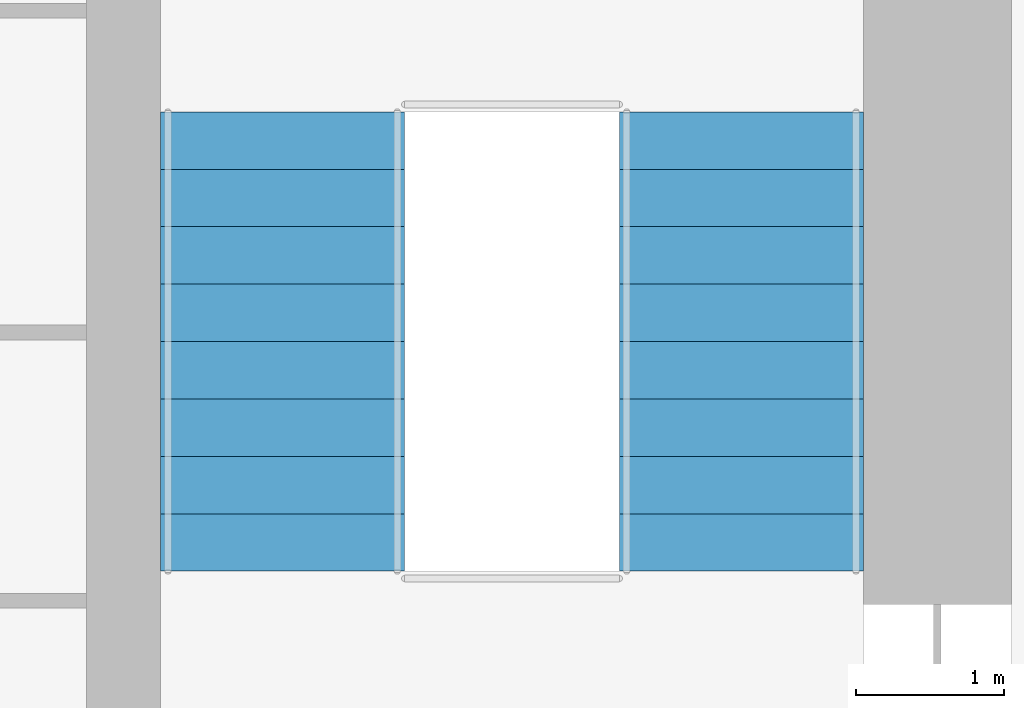
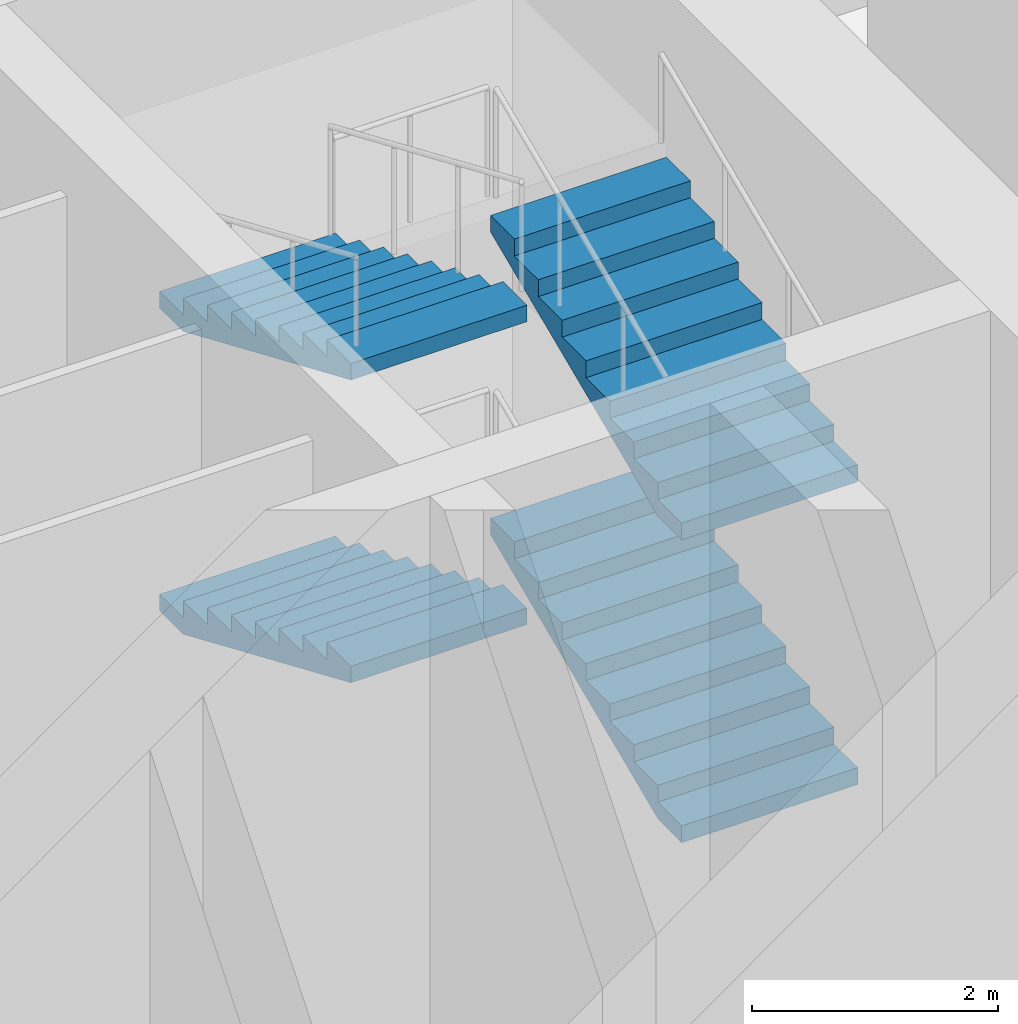
# One storey, part 15 of 19: 4 stair flights, 1 element without a shape of its own.
"""IFC4 building model written with IfcOpenShell, lengths in metres."""

from ifc_helpers import new_model, si_unit, direction, frame, origin, place, context, subcontext, project, spatial, polyline, outline, extrude, material, type_object, element, aggregate, save


model = new_model("IFC4")

# Units and contexts
model_context = context("Model", 3, precision=1e-05, world=origin(), true_north=direction((0.0, 1.0)))
body_context = subcontext(model_context, "Body", "Model", "MODEL_VIEW")
ifc_project = project(units=[si_unit("LENGTHUNIT", "METRE"), si_unit("AREAUNIT", "SQUARE_METRE"), si_unit("VOLUMEUNIT", "CUBIC_METRE"), si_unit("PLANEANGLEUNIT", "RADIAN"), si_unit("MASSUNIT", "GRAM", prefix="KILO")], contexts=[model_context])

# Site, building, storey
site_placement = place(None, origin())
site = spatial("IfcSite", under=ifc_project, at=site_placement, CompositionType="ELEMENT")
building_placement = place(site_placement, origin())
building = spatial("IfcBuilding", under=site, at=building_placement, Name="Corbel Stack Research Tower", CompositionType="ELEMENT")
storey_placement = place(building_placement, frame((0.0, 0.0, 70.60009765625)))
storey = spatial("IfcBuildingStorey", under=building, at=storey_placement, Name="L16", CompositionType="ELEMENT", Elevation=70.60009765625)

# Stair, stair flights
ifc_material_1 = material(Name="Concrete C40/50", Category="concrete")
stair_type = type_object("IfcStairType", Name="Exit stair 36 risers, 388 going", PredefinedType="HALF_TURN_STAIR", material=ifc_material_1)
stair_placement = place(storey_placement, origin())
stair = element("IfcStair", 1, at=stair_placement, inside=storey, type_object=stair_type, Name="L16 Exit stair ST-E2", PredefinedType="HALF_TURN_STAIR")
ifc_material_2 = material(Name="Concrete C40/50", Category="concrete")
stair_flight_type = type_object("IfcStairFlightType", Name="Stair flight 9 risers, 388 going", PredefinedType="STRAIGHT", material=ifc_material_2)
stair_flight_1_placement = place(storey_placement, frame((16.175048828125, 11.89990234375, 0.0), z_axis=(0.0, 0.0, 1.0), x_axis=(0.0, 1.0, 0.0)))
stair_flight_1 = element("IfcStairFlight", 2, at=stair_flight_1_placement, type_object=stair_flight_type, Name="ST-E2 flight 1", NumberOfRisers=9, NumberOfTreads=8, PredefinedType="STRAIGHT", RiserHeight=0.166666667, TreadLength=0.388, context=body_context, shape_type="SweptSolid", body=[
    extrude(outline(polyline([(0.0, 0.0), (0.0, 0.166748046875), (0.387939453125, 0.166748046875), (0.387939453125, 0.333251953125), (0.77587890625, 0.333251953125), (0.77587890625, 0.5), (1.1640625, 0.5), (1.1640625, 0.666748046875), (1.552001953125, 0.666748046875), (1.552001953125, 0.833251953125), (1.93994140625, 0.833251953125), (1.93994140625, 1.0), (2.327880859375, 1.0), (2.327880859375, 1.166748046875), (2.716064453125, 1.166748046875), (2.716064453125, 1.333251953125), (3.10400390625, 1.333251953125), (3.10400390625, 1.5), (3.10400390625, 1.170166015625), (0.3798828125, 0.0), (0.0, 0.0)])), frame((0.0, 0.824951171875, 0.0), z_axis=(0.0, -1.0, 0.0), x_axis=(1.0, 0.0, 0.0)), (0.0, 0.0, 1.0), 1.64990234375),
])
stair_flight_2_placement = place(storey_placement, frame((13.074951171875, 15.00390625, 1.5), z_axis=(0.0, 0.0, 1.0), x_axis=(0.0, -1.0, 0.0)))
stair_flight_2 = element("IfcStairFlight", 3, at=stair_flight_2_placement, type_object=stair_flight_type, Name="ST-E2 flight 2", NumberOfRisers=9, NumberOfTreads=8, PredefinedType="STRAIGHT", RiserHeight=0.166666667, TreadLength=0.388, context=body_context, shape_type="SweptSolid", body=[
    extrude(outline(polyline([(0.0, 0.0), (0.0, 0.166748046875), (0.387939453125, 0.166748046875), (0.387939453125, 0.333251953125), (0.77587890625, 0.333251953125), (0.77587890625, 0.5), (1.1640625, 0.5), (1.1640625, 0.666748046875), (1.552001953125, 0.666748046875), (1.552001953125, 0.833251953125), (1.93994140625, 0.833251953125), (1.93994140625, 1.0), (2.327880859375, 1.0), (2.327880859375, 1.166748046875), (2.716064453125, 1.166748046875), (2.716064453125, 1.333251953125), (3.10400390625, 1.333251953125), (3.10400390625, 1.5), (3.10400390625, 1.170166015625), (0.3798828125, 0.0), (0.0, 0.0)])), frame((0.0, 0.824951171875, 0.0), z_axis=(0.0, -1.0, 0.0), x_axis=(1.0, 0.0, 0.0)), (0.0, 0.0, 1.0), 1.64990234375),
])
stair_flight_3_placement = place(storey_placement, frame((16.175048828125, 11.89990234375, 3.0), z_axis=(0.0, 0.0, 1.0), x_axis=(0.0, 1.0, 0.0)))
stair_flight_3 = element("IfcStairFlight", 4, at=stair_flight_3_placement, type_object=stair_flight_type, Name="ST-E2 flight 3", NumberOfRisers=9, NumberOfTreads=8, PredefinedType="STRAIGHT", RiserHeight=0.166666667, TreadLength=0.388, context=body_context, shape_type="SweptSolid", body=[
    extrude(outline(polyline([(0.0, 0.0), (0.0, 0.166748046875), (0.387939453125, 0.166748046875), (0.387939453125, 0.333251953125), (0.77587890625, 0.333251953125), (0.77587890625, 0.5), (1.1640625, 0.5), (1.1640625, 0.666748046875), (1.552001953125, 0.666748046875), (1.552001953125, 0.833251953125), (1.93994140625, 0.833251953125), (1.93994140625, 1.0), (2.327880859375, 1.0), (2.327880859375, 1.166748046875), (2.716064453125, 1.166748046875), (2.716064453125, 1.333251953125), (3.10400390625, 1.333251953125), (3.10400390625, 1.5), (3.10400390625, 1.170166015625), (0.3798828125, 0.0), (0.0, 0.0)])), frame((0.0, 0.824951171875, 0.0), z_axis=(0.0, -1.0, 0.0), x_axis=(1.0, 0.0, 0.0)), (0.0, 0.0, 1.0), 1.64990234375),
])
stair_flight_4_placement = place(storey_placement, frame((13.074951171875, 15.00390625, 4.5), z_axis=(0.0, 0.0, 1.0), x_axis=(0.0, -1.0, 0.0)))
stair_flight_4 = element("IfcStairFlight", 5, at=stair_flight_4_placement, type_object=stair_flight_type, Name="ST-E2 flight 4", NumberOfRisers=9, NumberOfTreads=8, PredefinedType="STRAIGHT", RiserHeight=0.166666667, TreadLength=0.388, context=body_context, shape_type="SweptSolid", body=[
    extrude(outline(polyline([(0.0, 0.0), (0.0, 0.166748046875), (0.387939453125, 0.166748046875), (0.387939453125, 0.333251953125), (0.77587890625, 0.333251953125), (0.77587890625, 0.5), (1.1640625, 0.5), (1.1640625, 0.666748046875), (1.552001953125, 0.666748046875), (1.552001953125, 0.833251953125), (1.93994140625, 0.833251953125), (1.93994140625, 1.0), (2.327880859375, 1.0), (2.327880859375, 1.166748046875), (2.716064453125, 1.166748046875), (2.716064453125, 1.333251953125), (3.10400390625, 1.333251953125), (3.10400390625, 1.5), (3.10400390625, 1.170166015625), (0.3798828125, 0.0), (0.0, 0.0)])), frame((0.0, 0.824951171875, 0.0), z_axis=(0.0, -1.0, 0.0), x_axis=(1.0, 0.0, 0.0)), (0.0, 0.0, 1.0), 1.64990234375),
])
aggregate(stair, [stair_flight_1, stair_flight_2, stair_flight_3, stair_flight_4])

save(model, "model.ifc")
